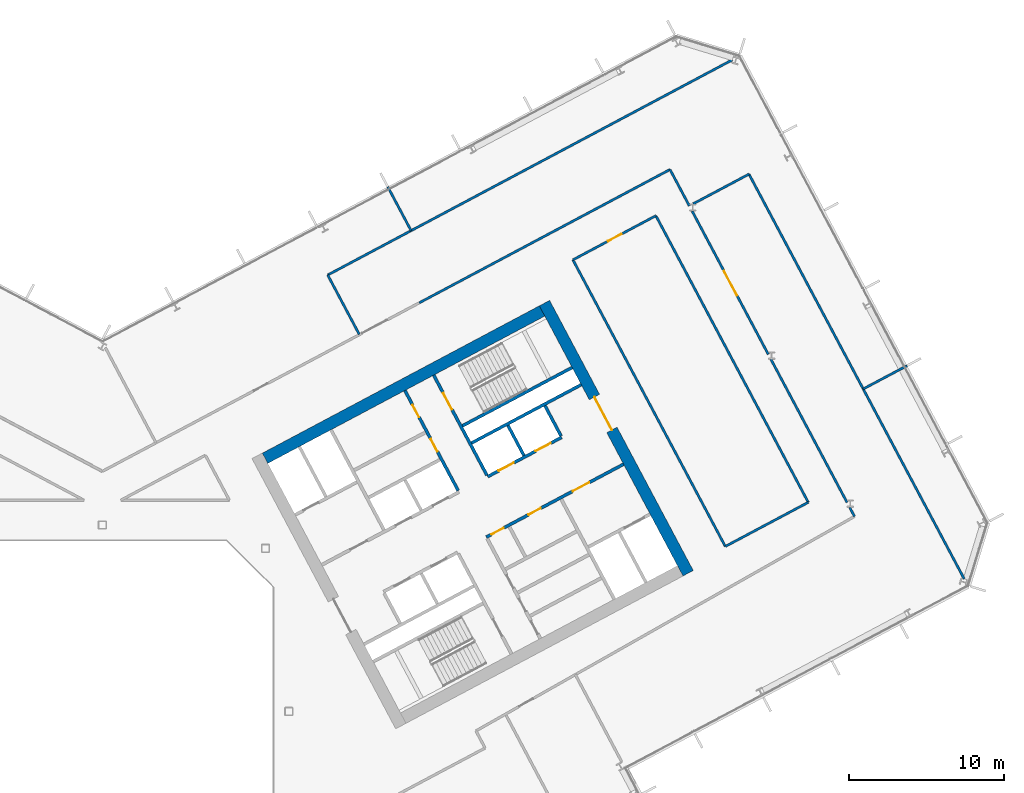
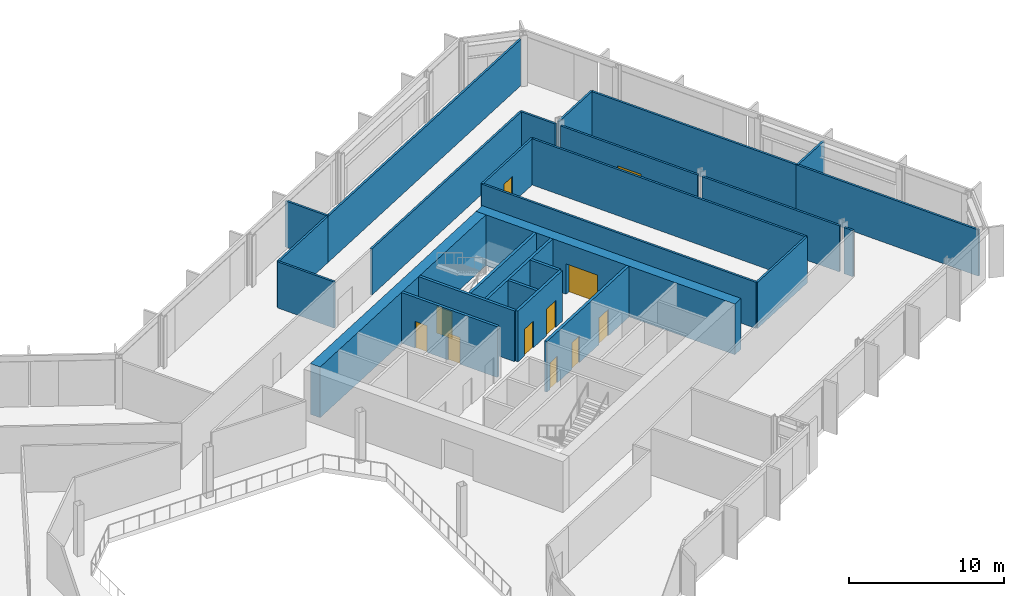
# One storey, part 17 of 28: 27 walls, 11 doors, 11 openings.
"""IFC4 building model written with IfcOpenShell, lengths in metres."""

import ifcopenshell
import ifcopenshell.guid

model = None  # the IFC model being written
_history = None  # IfcOwnerHistory: only IFC2X3 demands one
_inside = {}  # id of a spatial element -> (the spatial element, [elements in it])
_under = {}  # id of a project, library or spatial element -> (it, [spatial elements below it])
_declared = {}  # id of a project -> (the project, [libraries it declares])
_typed = {}  # id of a type object -> (the type object, [elements of that type])
_made_of = {}  # id of a material, layer set ... -> (it, [elements and type objects made of it])


def new_model(schema):
    """Start an empty IFC model of exactly this schema.

    Asked for "IFC4X3", IfcOpenShell would pick the latest addendum, in which some entities
    have other attributes; the version numbers below select the first issue.
    IFC2X3 requires an IfcOwnerHistory on every rooted entity: one is made here for all.
    """
    global model, _history
    if schema == "IFC4X3":
        model = ifcopenshell.file(schema_version=(4, 3, 0, 0))
    else:
        model = ifcopenshell.file(schema=schema)
    _inside.clear()
    _under.clear()
    _declared.clear()
    _typed.clear()
    _made_of.clear()
    _history = None
    if model.schema == "IFC2X3":
        org = make("IfcOrganization", Name="unknown")
        user = make(
            "IfcPersonAndOrganization",
            ThePerson=make("IfcPerson", FamilyName="unknown"),
            TheOrganization=org,
        )
        app = make(
            "IfcApplication",
            ApplicationDeveloper=org,
            Version="unknown",
            ApplicationFullName="unknown",
            ApplicationIdentifier="unknown",
        )
        _history = make(
            "IfcOwnerHistory",
            OwningUser=user,
            OwningApplication=app,
            ChangeAction="ADDED",
            CreationDate=0,
        )
    return model


def make(cls, **values):
    """One entity of the class cls with the attributes given. An attribute that is None is left unset."""
    return model.create_entity(
        cls, **{name: value for name, value in values.items() if value is not None}
    )


def rooted(cls, **values):
    """An entity with a GlobalId (a new one), such as an element, a storey or a relation."""
    return make(cls, GlobalId=ifcopenshell.guid.new(), OwnerHistory=_history, **values)


def si_unit(unit_type, name, prefix=None):
    """IfcSIUnit, for example si_unit("LENGTHUNIT", "METRE", prefix="MILLI")."""
    return make("IfcSIUnit", UnitType=unit_type, Prefix=prefix, Name=name)


def assignment(units):
    """IfcUnitAssignment: the units of a project."""
    return None if units is None else make("IfcUnitAssignment", Units=units)


def point(xyz):
    """IfcCartesianPoint."""
    return None if xyz is None else make("IfcCartesianPoint", Coordinates=xyz)


def direction(xyz):
    """IfcDirection."""
    return None if xyz is None else make("IfcDirection", DirectionRatios=xyz)


def frame(location, z_axis=None, x_axis=None):
    """IfcAxis2Placement3D, a coordinate frame: its origin and axes. An axis left out is left unset."""
    return make(
        "IfcAxis2Placement3D",
        Location=point(location),
        Axis=direction(z_axis),
        RefDirection=direction(x_axis),
    )


def frame_2d(location, x_axis=None):
    """IfcAxis2Placement2D, a coordinate frame in the plane: its origin and x axis."""
    return make(
        "IfcAxis2Placement2D", Location=point(location), RefDirection=direction(x_axis)
    )


def origin():
    """The frame at (0, 0, 0) with its axes left unset."""
    return frame((0.0, 0.0, 0.0))


def place(relative_to, where):
    """IfcLocalPlacement: puts the frame where relative to a parent placement (None: the world)."""
    return make(
        "IfcLocalPlacement", PlacementRelTo=relative_to, RelativePlacement=where
    )


def context(
    kind, dimensions, precision=None, world=None, true_north=None, identifier=None
):
    """IfcGeometricRepresentationContext, for example the 3D "Model" context."""
    return make(
        "IfcGeometricRepresentationContext",
        ContextIdentifier=identifier,
        ContextType=kind,
        CoordinateSpaceDimension=dimensions,
        Precision=precision,
        WorldCoordinateSystem=world,
        TrueNorth=true_north,
    )


def subcontext(parent, identifier, kind, view, scale=None):
    """IfcGeometricRepresentationSubContext, for example "Body" below "Model"."""
    return make(
        "IfcGeometricRepresentationSubContext",
        ContextIdentifier=identifier,
        ContextType=kind,
        ParentContext=parent,
        TargetScale=scale,
        TargetView=view,
    )


def project(units=None, contexts=None):
    """IfcProject with its units and contexts."""
    return rooted(
        "IfcProject",
        Name="project",
        RepresentationContexts=contexts,
        UnitsInContext=assignment(units),
    )


def spatial(cls, under=None, at=None, **own):
    """A site, building, storey or space (cls), placed at a placement, below another one or the project."""
    s = rooted(cls, ObjectPlacement=at, **own)
    if under is not None:
        _under.setdefault(under.id(), (under, []))[1].append(s)
    return s


def profile(cls, at=None, kind="AREA", **sizes):
    """A parametric profile (cls). Its sizes go by their IFC names, for example OverallWidth=200.0."""
    return make(cls, ProfileType=kind, Position=at, **sizes)


def rectangle(**sizes):
    """IfcRectangleProfileDef."""
    return profile("IfcRectangleProfileDef", **sizes)


def extrude(swept, where, along, depth):
    """IfcExtrudedAreaSolid: the profile swept, set in the frame where, extruded along a direction by depth."""
    return make(
        "IfcExtrudedAreaSolid",
        SweptArea=swept,
        Position=where,
        ExtrudedDirection=direction(along),
        Depth=depth,
    )


def shape(context_of_items, identifier, shape_type, items):
    """IfcShapeRepresentation: the items that make up one representation, for example the "Body"."""
    return make(
        "IfcShapeRepresentation",
        ContextOfItems=context_of_items,
        RepresentationIdentifier=identifier,
        RepresentationType=shape_type,
        Items=items,
    )


def material(Name=None, Category=None):
    """IfcMaterial."""
    return make("IfcMaterial", Name=Name, Category=Category)


def layer(
    of_material, thickness, ventilated=None, Name=None, Category=None, Priority=None
):
    """IfcMaterialLayer: one layer of a wall or slab, of a material (None: an air gap)."""
    return make(
        "IfcMaterialLayer",
        Material=of_material,
        LayerThickness=thickness,
        IsVentilated=ventilated,
        Name=Name,
        Category=Category,
        Priority=Priority,
    )


def layer_set(layers, Name=None):
    """IfcMaterialLayerSet."""
    return make("IfcMaterialLayerSet", MaterialLayers=layers, LayerSetName=Name)


def made_of(thing, what):
    """Note that an element or type object is made of a material, layer set ...; save() writes the relation."""
    if what is not None:
        _made_of.setdefault(what.id(), (what, []))[1].append(thing)
    return thing


def type_object(cls, material=None, **own):
    """A type object (cls), such as IfcWallType, which elements share."""
    return made_of(rooted(cls, **own), material)


def element(
    cls,
    number,
    at=None,
    inside=None,
    cuts=None,
    type_object=None,
    material=None,
    context=None,
    identifier="Body",
    shape_type=None,
    held_by="IfcProductDefinitionShape",
    body=None,
    shapes=None,
    **own,
):
    """One element of the class cls, such as IfcWall. Its Tag is "e" and its number.

    at: its placement. inside: the storey or other place that contains it. cuts: it is an
    opening in that element (IfcRelVoidsElement). A single representation is given by context,
    identifier, shape_type and body (its items); several are given by shapes. held_by: the class
    of the entity that holds the representations. save() writes the other relations.
    """
    e = rooted(cls, Tag="e%d" % number, ObjectPlacement=at, **own)
    if body is not None:
        shapes = [shape(context, identifier, shape_type, body)]
    if shapes is not None:
        e.Representation = make(held_by, Representations=shapes)
    if inside is not None:
        _inside.setdefault(inside.id(), (inside, []))[1].append(e)
    if cuts is not None:
        rooted(
            "IfcRelVoidsElement", RelatingBuildingElement=cuts, RelatedOpeningElement=e
        )
    if type_object is not None:
        _typed.setdefault(type_object.id(), (type_object, []))[1].append(e)
    return made_of(e, material)


def fill(opening, filler):
    """IfcRelFillsElement: the door or window that sits in an opening."""
    return rooted(
        "IfcRelFillsElement",
        RelatingOpeningElement=opening,
        RelatedBuildingElement=filler,
    )


def aggregate(whole, parts):
    """IfcRelAggregates: a whole, such as a stair, and the parts it consists of."""
    return rooted("IfcRelAggregates", RelatingObject=whole, RelatedObjects=parts)


def save(model, path):
    """Write the relations noted so far, then the file.

    IfcRelAggregates (storeys below a building ...), IfcRelContainedInSpatialStructure (elements
    in a storey), IfcRelDefinesByType, IfcRelAssociatesMaterial and IfcRelDeclares: one each for
    every whole, place, type object, material and project.
    """
    for whole, parts in _under.values():
        aggregate(whole, parts)
    for where, things in _inside.values():
        rooted(
            "IfcRelContainedInSpatialStructure",
            RelatedElements=things,
            RelatingStructure=where,
        )
    for kind, things in _typed.values():
        rooted("IfcRelDefinesByType", RelatedObjects=things, RelatingType=kind)
    for what, things in _made_of.values():
        rooted("IfcRelAssociatesMaterial", RelatedObjects=things, RelatingMaterial=what)
    for by, libraries in _declared.values():
        rooted("IfcRelDeclares", RelatingContext=by, RelatedDefinitions=libraries)
    model.write(path)


model = new_model("IFC4")

# Units and contexts
model_context = context("Model", 3, precision=1e-05, world=origin(), true_north=direction((0.0, 1.0)))
body_context = subcontext(model_context, "Body", "Model", "MODEL_VIEW")
ifc_project = project(units=[si_unit("LENGTHUNIT", "METRE"), si_unit("AREAUNIT", "SQUARE_METRE"), si_unit("VOLUMEUNIT", "CUBIC_METRE"), si_unit("PLANEANGLEUNIT", "RADIAN"), si_unit("MASSUNIT", "GRAM", prefix="KILO")], contexts=[model_context])

# Site, building, storey
site_placement = place(None, origin())
site = spatial("IfcSite", under=ifc_project, at=site_placement, CompositionType="ELEMENT")
building_placement = place(site_placement, origin())
building = spatial("IfcBuilding", under=site, at=building_placement, Name="Cormorant Relay Tower", CompositionType="ELEMENT")
storey_placement = place(building_placement, frame((0.0, 0.0, 142.199951171875)))
storey = spatial("IfcBuildingStorey", under=building, at=storey_placement, Name="L29", CompositionType="ELEMENT", Elevation=142.199951171875)

# Wall
ifc_material_1 = material(Name="Concrete 40 MPa", Category="concrete")
ifc_layer_1 = layer(ifc_material_1, 0.199951171875)
ifc_layer_set_1 = layer_set([ifc_layer_1], Name="Core internal wall 200")
wall_type_1 = type_object("IfcWallType", Name="Core internal wall 200", PredefinedType="SOLIDWALL", material=ifc_layer_set_1)
wall_1_placement = place(storey_placement, frame((27.144287109375, 16.471435546875, 0.0), z_axis=(0.0, 0.0, 1.0), x_axis=(-0.469401318492, 0.882984938828, 0.0)))
element("IfcWall", 1, at=wall_1_placement, inside=storey, type_object=wall_type_1, Name="L29 core B shaft and room wall", PredefinedType="SOLIDWALL", context=body_context, shape_type="SweptSolid", body=[
    extrude(rectangle(XDim=2.199951171875, YDim=0.199951171875, at=frame_2d((1.10009765625, 0.0))), origin(), (0.0, 0.0, 1.0), 4.0),
])

# Wall, openings, doors
ifc_material_2 = material(Name="Concrete 50 MPa", Category="concrete")
ifc_layer_2 = layer(ifc_material_2, 0.199951171875)
ifc_layer_set_2 = layer_set([ifc_layer_2], Name="Core shaft wall 200")
wall_type_2 = type_object("IfcWallType", Name="Core shaft wall 200", PredefinedType="SHEAR", material=ifc_layer_set_2)
wall_2_placement = place(storey_placement, frame((22.90625, 14.218017578125, 0.0), z_axis=(0.0, 0.0, 1.0), x_axis=(-0.469480409012, 0.88294288918, 0.0)))
wall_2 = element("IfcWall", 2, at=wall_2_placement, inside=storey, type_object=wall_type_2, Name="L29 core B shaft wall", PredefinedType="SHEAR", context=body_context, shape_type="SweptSolid", body=[
    extrude(rectangle(XDim=7.300048828125, YDim=0.199951171875, at=frame_2d((3.64990234375, 0.0))), origin(), (0.0, 0.0, 1.0), 4.0),
])
opening_1_placement = place(wall_2_placement, frame((2.85009765625, 0.0, 0.0)))
opening_1 = element("IfcOpeningElement", 3, at=opening_1_placement, cuts=wall_2, Name="Opening CDD-201", PredefinedType="OPENING", context=body_context, shape_type="SweptSolid", body=[
    extrude(rectangle(XDim=0.89990234375, YDim=2.10009765625, at=frame_2d((0.449951171875, 1.050048828125))), frame((0.0, 0.10986328125, 0.0), z_axis=(0.0, -1.0, 0.0), x_axis=(1.0, 0.0, 0.0)), (0.0, 0.0, 1.0), 0.219970703125),
])
opening_2_placement = place(wall_2_placement, frame((5.35009765625, 0.0, 0.0)))
opening_2 = element("IfcOpeningElement", 4, at=opening_2_placement, cuts=wall_2, Name="Opening CDD-202", PredefinedType="OPENING", context=body_context, shape_type="SweptSolid", body=[
    extrude(rectangle(XDim=0.89990234375, YDim=2.10009765625, at=frame_2d((0.449951171875, 1.050048828125))), frame((0.0, 0.10986328125, 0.0), z_axis=(0.0, -1.0, 0.0), x_axis=(1.0, 0.0, 0.0)), (0.0, 0.0, 1.0), 0.219970703125),
])
ifc_material_3 = material(Name="Steel fire door", Category="steel")
door_type_1 = type_object("IfcDoorType", Name="Core room door 900x2100", OperationType="SINGLE_SWING_LEFT", PredefinedType="DOOR", material=ifc_material_3)
door_1_placement = place(opening_1_placement, origin())
door_1 = element("IfcDoor", 5, at=door_1_placement, inside=storey, type_object=door_type_1, Name="Core room door 900x2100", OperationType="SINGLE_SWING_RIGHT", OverallHeight=2.10009765625, OverallWidth=0.89990234375, PredefinedType="DOOR", context=body_context, shape_type="SweptSolid", body=[
    extrude(rectangle(XDim=0.89990234375, YDim=2.10009765625, at=frame_2d((0.449951171875, 1.050048828125))), frame((0.0, 0.02490234375, 0.0), z_axis=(0.0, -1.0, 0.0), x_axis=(1.0, 0.0, 0.0)), (0.0, 0.0, 1.0), 0.050048828125),
])
fill(opening_1, door_1)
door_2_placement = place(opening_2_placement, origin())
door_2 = element("IfcDoor", 6, at=door_2_placement, inside=storey, type_object=door_type_1, Name="Core room door 900x2100", OperationType="SINGLE_SWING_LEFT", OverallHeight=2.10009765625, OverallWidth=0.89990234375, PredefinedType="DOOR", context=body_context, shape_type="SweptSolid", body=[
    extrude(rectangle(XDim=0.89990234375, YDim=2.10009765625, at=frame_2d((0.449951171875, 1.050048828125))), frame((0.0, 0.02490234375, 0.0), z_axis=(0.0, -1.0, 0.0), x_axis=(1.0, 0.0, 0.0)), (0.0, 0.0, 1.0), 0.050048828125),
])
fill(opening_2, door_2)

# Wall, opening, door
wall_3_placement = place(storey_placement, frame((24.760498046875, 15.2041015625, 0.0), z_axis=(0.0, 0.0, 1.0), x_axis=(-0.469494272526, 0.882935517501, 0.0)))
wall_3 = element("IfcWall", 7, at=wall_3_placement, inside=storey, type_object=wall_type_2, Name="L29 core B shaft wall", PredefinedType="SHEAR", context=body_context, shape_type="SweptSolid", body=[
    extrude(rectangle(XDim=7.2998046875, YDim=0.199951171875, at=frame_2d((3.64990234375, 0.0))), origin(), (0.0, 0.0, 1.0), 4.0),
])
opening_3_placement = place(wall_3_placement, frame((4.800048828125, 0.0, 0.0)))
opening_3 = element("IfcOpeningElement", 8, at=opening_3_placement, cuts=wall_3, Name="Opening CDB-037", PredefinedType="OPENING", context=body_context, shape_type="SweptSolid", body=[
    extrude(rectangle(XDim=1.199951171875, YDim=2.10009765625, at=frame_2d((0.60009765625, 1.050048828125))), frame((0.0, 0.10986328125, 0.0), z_axis=(0.0, -1.0, 0.0), x_axis=(1.0, 0.0, 0.0)), (0.0, 0.0, 1.0), 0.219970703125),
])
ifc_material_4 = material(Name="Steel fire door", Category="steel")
door_type_2 = type_object("IfcDoorType", Name="Core stair door 1200x2100", OperationType="SINGLE_SWING_LEFT", PredefinedType="DOOR", material=ifc_material_4)
door_3_placement = place(opening_3_placement, frame((1.199951171875, 0.0, 0.0), z_axis=(0.0, 0.0, 1.0), x_axis=(-1.0, 0.0, 0.0)))
door_3 = element("IfcDoor", 9, at=door_3_placement, inside=storey, type_object=door_type_2, Name="Core stair door 1200x2100", OperationType="SINGLE_SWING_RIGHT", OverallHeight=2.10009765625, OverallWidth=1.199951171875, PredefinedType="DOOR", context=body_context, shape_type="SweptSolid", body=[
    extrude(rectangle(XDim=1.199951171875, YDim=2.10009765625, at=frame_2d((0.60009765625, 1.050048828125))), frame((0.0, 0.02490234375, 0.0), z_axis=(0.0, -1.0, 0.0), x_axis=(1.0, 0.0, 0.0)), (0.0, 0.0, 1.0), 0.050048828125),
])
fill(opening_3, door_3)

# Wall
wall_4_placement = place(storey_placement, frame((29.5283203125, 17.739013671875, 0.0), z_axis=(0.0, 0.0, 1.0), x_axis=(-0.469401318492, 0.882984938828, 0.0)))
element("IfcWall", 10, at=wall_4_placement, inside=storey, type_object=wall_type_2, Name="L29 core B shaft wall", PredefinedType="SHEAR", context=body_context, shape_type="SweptSolid", body=[
    extrude(rectangle(XDim=2.199951171875, YDim=0.199951171875, at=frame_2d((1.10009765625, 0.0))), origin(), (0.0, 0.0, 1.0), 4.0),
])

# Wall, openings, doors
wall_5_placement = place(storey_placement, frame((24.72607421875, 11.2216796875, 0.0), z_axis=(0.0, 0.0, 1.0), x_axis=(0.882940221191, 0.469485426614, 0.0)))
wall_5 = element("IfcWall", 11, at=wall_5_placement, inside=storey, type_object=wall_type_2, Name="L29 core B shaft wall", PredefinedType="SHEAR", context=body_context, shape_type="SweptSolid", body=[
    extrude(rectangle(XDim=10.0, YDim=0.199951171875, at=frame_2d((5.0, 0.0))), origin(), (0.0, 0.0, 1.0), 4.0),
])
opening_4_placement = place(wall_5_placement, frame((6.300048828125, 0.0, 0.0)))
opening_4 = element("IfcOpeningElement", 12, at=opening_4_placement, cuts=wall_5, Name="Opening CDC-028", PredefinedType="OPENING", context=body_context, shape_type="SweptSolid", body=[
    extrude(rectangle(XDim=1.199951171875, YDim=2.10009765625, at=frame_2d((0.60009765625, 1.050048828125))), frame((0.0, 0.10986328125, 0.0), z_axis=(0.0, -1.0, 0.0), x_axis=(1.0, 0.0, 0.0)), (0.0, 0.0, 1.0), 0.219970703125),
])
opening_5_placement = place(wall_5_placement, frame((0.360107421875, 0.0, 0.0)))
opening_5 = element("IfcOpeningElement", 13, at=opening_5_placement, cuts=wall_5, Name="Opening CDD-177", PredefinedType="OPENING", context=body_context, shape_type="SweptSolid", body=[
    extrude(rectangle(XDim=0.89990234375, YDim=2.10009765625, at=frame_2d((0.449951171875, 1.050048828125))), frame((0.0, 0.10986328125, 0.0), z_axis=(0.0, -1.0, 0.0), x_axis=(1.0, 0.0, 0.0)), (0.0, 0.0, 1.0), 0.219970703125),
])
opening_6_placement = place(wall_5_placement, frame((3.06005859375, 0.0, 0.0)))
opening_6 = element("IfcOpeningElement", 14, at=opening_6_placement, cuts=wall_5, Name="Opening CDD-178", PredefinedType="OPENING", context=body_context, shape_type="SweptSolid", body=[
    extrude(rectangle(XDim=0.89990234375, YDim=2.10009765625, at=frame_2d((0.449951171875, 1.050048828125))), frame((0.0, 0.10986328125, 0.0), z_axis=(0.0, -1.0, 0.0), x_axis=(1.0, 0.0, 0.0)), (0.0, 0.0, 1.0), 0.219970703125),
])
ifc_material_5 = material(Name="Steel fire door", Category="steel")
door_type_3 = type_object("IfcDoorType", Name="Core lobby door 1200x2100", OperationType="SINGLE_SWING_LEFT", PredefinedType="DOOR", material=ifc_material_5)
door_4_placement = place(opening_4_placement, frame((1.199951171875, 0.0, 0.0), z_axis=(0.0, 0.0, 1.0), x_axis=(-1.0, 0.0, 0.0)))
door_4 = element("IfcDoor", 15, at=door_4_placement, inside=storey, type_object=door_type_3, Name="Core lobby door 1200x2100", OperationType="SINGLE_SWING_RIGHT", OverallHeight=2.10009765625, OverallWidth=1.199951171875, PredefinedType="DOOR", context=body_context, shape_type="SweptSolid", body=[
    extrude(rectangle(XDim=1.199951171875, YDim=2.10009765625, at=frame_2d((0.60009765625, 1.050048828125))), frame((0.0, 0.02490234375, 0.0), z_axis=(0.0, -1.0, 0.0), x_axis=(1.0, 0.0, 0.0)), (0.0, 0.0, 1.0), 0.050048828125),
])
fill(opening_4, door_4)
door_5_placement = place(opening_5_placement, frame((0.89990234375, 0.0, 0.0), z_axis=(0.0, 0.0, 1.0), x_axis=(-1.0, 0.0, 0.0)))
door_5 = element("IfcDoor", 16, at=door_5_placement, inside=storey, type_object=door_type_1, Name="Core room door 900x2100", OperationType="SINGLE_SWING_RIGHT", OverallHeight=2.10009765625, OverallWidth=0.89990234375, PredefinedType="DOOR", context=body_context, shape_type="SweptSolid", body=[
    extrude(rectangle(XDim=0.89990234375, YDim=2.10009765625, at=frame_2d((0.449951171875, 1.050048828125))), frame((0.0, 0.02490234375, 0.0), z_axis=(0.0, -1.0, 0.0), x_axis=(1.0, 0.0, 0.0)), (0.0, 0.0, 1.0), 0.050048828125),
])
fill(opening_5, door_5)
door_6_placement = place(opening_6_placement, frame((0.89990234375, 0.0, 0.0), z_axis=(0.0, 0.0, 1.0), x_axis=(-1.0, 0.0, 0.0)))
door_6 = element("IfcDoor", 17, at=door_6_placement, inside=storey, type_object=door_type_1, Name="Core room door 900x2100", OperationType="SINGLE_SWING_RIGHT", OverallHeight=2.10009765625, OverallWidth=0.89990234375, PredefinedType="DOOR", context=body_context, shape_type="SweptSolid", body=[
    extrude(rectangle(XDim=0.89990234375, YDim=2.10009765625, at=frame_2d((0.449951171875, 1.050048828125))), frame((0.0, 0.02490234375, 0.0), z_axis=(0.0, -1.0, 0.0), x_axis=(1.0, 0.0, 0.0)), (0.0, 0.0, 1.0), 0.050048828125),
])
fill(opening_6, door_6)

wall_6_placement = place(storey_placement, frame((24.807373046875, 15.11572265625, 0.0), z_axis=(0.0, 0.0, 1.0), x_axis=(0.882942972946, 0.469480251476, 0.0)))
wall_6 = element("IfcWall", 18, at=wall_6_placement, inside=storey, type_object=wall_type_2, Name="L29 core B shaft wall", PredefinedType="SHEAR", context=body_context, shape_type="SweptSolid", body=[
    extrude(rectangle(XDim=5.39990234375, YDim=0.199951171875, at=frame_2d((2.699951171875, 0.0))), origin(), (0.0, 0.0, 1.0), 4.0),
])
opening_7_placement = place(wall_6_placement, frame((0.800048828125, 0.0, 0.0)))
opening_7 = element("IfcOpeningElement", 19, at=opening_7_placement, cuts=wall_6, Name="Opening LD1-046", PredefinedType="OPENING", context=body_context, shape_type="SweptSolid", body=[
    extrude(rectangle(XDim=1.10009765625, YDim=2.10009765625, at=frame_2d((0.550048828125, 1.050048828125))), frame((0.0, 0.10986328125, 0.0), z_axis=(0.0, -1.0, 0.0), x_axis=(1.0, 0.0, 0.0)), (0.0, 0.0, 1.0), 0.219970703125),
])
opening_8_placement = place(wall_6_placement, frame((3.5, 0.0, 0.0)))
opening_8 = element("IfcOpeningElement", 20, at=opening_8_placement, cuts=wall_6, Name="Opening LD1-047", PredefinedType="OPENING", context=body_context, shape_type="SweptSolid", body=[
    extrude(rectangle(XDim=1.10009765625, YDim=2.10009765625, at=frame_2d((0.550048828125, 1.050048828125))), frame((0.0, 0.10986328125, 0.0), z_axis=(0.0, -1.0, 0.0), x_axis=(1.0, 0.0, 0.0)), (0.0, 0.0, 1.0), 0.219970703125),
])
ifc_material_6 = material(Name="Stainless steel 316", Category="steel")
door_type_4 = type_object("IfcDoorType", Name="Lift landing door 1100x2100", OperationType="DOUBLE_DOOR_SLIDING", PredefinedType="DOOR", material=ifc_material_6)
door_7_placement = place(opening_7_placement, origin())
door_7 = element("IfcDoor", 21, at=door_7_placement, inside=storey, type_object=door_type_4, Name="LR3 landing door", OperationType="DOUBLE_DOOR_SLIDING", OverallHeight=2.10009765625, OverallWidth=1.10009765625, PredefinedType="DOOR", context=body_context, shape_type="SweptSolid", body=[
    extrude(rectangle(XDim=1.10009765625, YDim=2.10009765625, at=frame_2d((0.550048828125, 1.050048828125))), frame((0.0, 0.02490234375, 0.0), z_axis=(0.0, -1.0, 0.0), x_axis=(1.0, 0.0, 0.0)), (0.0, 0.0, 1.0), 0.050048828125),
])
fill(opening_7, door_7)
door_8_placement = place(opening_8_placement, origin())
door_8 = element("IfcDoor", 22, at=door_8_placement, inside=storey, type_object=door_type_4, Name="LR4 landing door", OperationType="DOUBLE_DOOR_SLIDING", OverallHeight=2.10009765625, OverallWidth=1.10009765625, PredefinedType="DOOR", context=body_context, shape_type="SweptSolid", body=[
    extrude(rectangle(XDim=1.10009765625, YDim=2.10009765625, at=frame_2d((0.550048828125, 1.050048828125))), frame((0.0, 0.02490234375, 0.0), z_axis=(0.0, -1.0, 0.0), x_axis=(1.0, 0.0, 0.0)), (0.0, 0.0, 1.0), 0.050048828125),
])
fill(opening_8, door_8)

# Walls
wall_7_placement = place(storey_placement, frame((23.76904296875, 17.28173828125, 0.0), z_axis=(0.0, 0.0, 1.0), x_axis=(0.882940221191, 0.469485426614, 0.0)))
element("IfcWall", 23, at=wall_7_placement, inside=storey, type_object=wall_type_2, Name="L29 core B shaft wall", PredefinedType="SHEAR", context=body_context, shape_type="SweptSolid", body=[
    extrude(rectangle(XDim=8.0, YDim=0.199951171875, at=frame_2d((4.0, 0.0))), origin(), (0.0, 0.0, 1.0), 4.0),
])
wall_8_placement = place(storey_placement, frame((23.18212890625, 18.385498046875, 0.0), z_axis=(0.0, 0.0, 1.0), x_axis=(0.88295287151, 0.469461634952, 0.0)))
element("IfcWall", 24, at=wall_8_placement, inside=storey, type_object=wall_type_2, Name="L29 core B shaft wall", PredefinedType="SHEAR", context=body_context, shape_type="SweptSolid", body=[
    extrude(rectangle(XDim=7.999755859375, YDim=0.199951171875, at=frame_2d((4.0, 0.0))), origin(), (0.0, 0.0, 1.0), 4.0),
])

# Wall, opening, door
ifc_material_7 = material(Name="Concrete 60 MPa", Category="concrete")
ifc_layer_3 = layer(ifc_material_7, 0.75)
ifc_layer_set_3 = layer_set([ifc_layer_3], Name="Core wall 750")
wall_type_3 = type_object("IfcWallType", Name="Core wall 750", PredefinedType="SHEAR", material=ifc_layer_set_3)
wall_9_placement = place(storey_placement, frame((37.712646484375, 8.896484375, 0.0), z_axis=(0.0, 0.0, 1.0), x_axis=(-0.469469918705, 0.88294846703, 0.0)))
wall_9 = element("IfcWall", 25, at=wall_9_placement, inside=storey, type_object=wall_type_3, Name="L29 core B wall", PredefinedType="SHEAR", context=body_context, shape_type="SweptSolid", body=[
    extrude(rectangle(XDim=19.699951171875, YDim=0.75, at=frame_2d((9.85009765625, 0.0))), origin(), (0.0, 0.0, 1.0), 4.0),
])
opening_9_placement = place(wall_9_placement, frame((10.449951171875, 0.0, 0.0)))
opening_9 = element("IfcOpeningElement", 26, at=opening_9_placement, cuts=wall_9, Name="Opening CDA-029", PredefinedType="OPENING", context=body_context, shape_type="SweptSolid", body=[
    extrude(rectangle(XDim=2.39990234375, YDim=2.39990234375, at=frame_2d((1.199951171875, 1.199951171875))), frame((0.0, 0.385009765625, 0.0), z_axis=(0.0, -1.0, 0.0), x_axis=(1.0, 0.0, 0.0)), (0.0, 0.0, 1.0), 0.77001953125),
])
ifc_material_8 = material(Name="Steel fire door", Category="steel")
door_type_5 = type_object("IfcDoorType", Name="Core lobby door 2400x2400", OperationType="DOUBLE_DOOR_SINGLE_SWING", PredefinedType="DOOR", material=ifc_material_8)
door_9_placement = place(opening_9_placement, origin())
door_9 = element("IfcDoor", 27, at=door_9_placement, inside=storey, type_object=door_type_5, Name="Core lobby door 2400x2400", OperationType="DOUBLE_DOOR_SINGLE_SWING", OverallHeight=2.39990234375, OverallWidth=2.39990234375, PredefinedType="DOOR", context=body_context, shape_type="SweptSolid", body=[
    extrude(rectangle(XDim=2.39990234375, YDim=2.39990234375, at=frame_2d((1.199951171875, 1.199951171875))), frame((0.0, 0.02490234375, 0.0), z_axis=(0.0, -1.0, 0.0), x_axis=(1.0, 0.0, 0.0)), (0.0, 0.0, 1.0), 0.050048828125),
])
fill(opening_9, door_9)

# Walls
wall_10_placement = place(storey_placement, frame((10.4736328125, 16.300048828125, 0.0), z_axis=(0.0, 0.0, 1.0), x_axis=(0.88295010195, 0.469466843842, 0.0)))
element("IfcWall", 28, at=wall_10_placement, inside=storey, type_object=wall_type_3, Name="L29 core B wall", PredefinedType="SHEAR", context=body_context, shape_type="SweptSolid", body=[
    extrude(rectangle(XDim=20.199951171875, YDim=0.75, at=frame_2d((10.10009765625, 0.0))), origin(), (0.0, 0.0, 1.0), 4.0),
])
ifc_material_9 = material(Name="Gypsum board fire partition")
ifc_layer_4 = layer(ifc_material_9, 0.14990234375)
ifc_layer_set_4 = layer_set([ifc_layer_4], Name="Corridor partition 150 EI 60")
wall_type_4 = type_object("IfcWallType", Name="Corridor partition 150 EI 60", PredefinedType="PARTITIONING", material=ifc_layer_set_4)
wall_11_placement = place(storey_placement, frame((37.7900390625, 32.554931640625, 0.0), z_axis=(0.0, 0.0, 1.0), x_axis=(-0.469898914502, 0.882720233228, 0.0)))
element("IfcWall", 29, at=wall_11_placement, inside=storey, type_object=wall_type_4, Name="wall/L29/part/056", PredefinedType="PARTITIONING", context=body_context, shape_type="SweptSolid", body=[
    extrude(rectangle(XDim=2.647705078125, YDim=0.14990234375, at=frame_2d((1.32373046875, 0.0))), origin(), (0.0, 0.0, 1.0), 3.64013671875),
])
wall_12_placement = place(storey_placement, frame((20.402099609375, 26.30810546875, 0.0), z_axis=(0.0, 0.0, 1.0), x_axis=(0.882958355843, 0.469451319997, 0.0)))
element("IfcWall", 30, at=wall_12_placement, inside=storey, type_object=wall_type_4, Name="wall/L29/part/057", PredefinedType="PARTITIONING", context=body_context, shape_type="SweptSolid", body=[
    extrude(rectangle(XDim=18.28515625, YDim=0.14990234375, at=frame_2d((9.142578125, 0.0))), origin(), (0.0, 0.0, 1.0), 3.64013671875),
])

# Wall, opening, door
wall_13_placement = place(storey_placement, frame((37.97412109375, 32.208984375, 0.0), z_axis=(0.0, 0.0, 1.0), x_axis=(0.469434985691, -0.882967040274, 0.0)))
wall_13 = element("IfcWall", 31, at=wall_13_placement, inside=storey, type_object=wall_type_4, Name="wall/L29/part/061", PredefinedType="PARTITIONING", context=body_context, shape_type="SweptSolid", body=[
    extrude(rectangle(XDim=10.442138671875, YDim=0.14990234375, at=frame_2d((5.22119140625, 0.0))), origin(), (0.0, 0.0, 1.0), 3.64013671875),
])
opening_10_placement = place(wall_13_placement, frame((4.35107421875, 0.0, 0.0)))
opening_10 = element("IfcOpeningElement", 32, at=opening_10_placement, cuts=wall_13, Name="Opening DD-010", PredefinedType="OPENING", context=body_context, shape_type="SweptSolid", body=[
    extrude(rectangle(XDim=1.800048828125, YDim=2.10009765625, at=frame_2d((0.89990234375, 1.050048828125))), frame((0.0, 0.0849609375, 0.0), z_axis=(0.0, -1.0, 0.0), x_axis=(1.0, 0.0, 0.0)), (0.0, 0.0, 1.0), 0.169921875),
])
ifc_material_10 = material(Name="Timber door leaf", Category="wood")
door_type_6 = type_object("IfcDoorType", Name="Suite double door 1800x2100", OperationType="DOUBLE_DOOR_SINGLE_SWING", PredefinedType="DOOR", material=ifc_material_10)
door_10_placement = place(opening_10_placement, frame((1.800048828125, 0.0, 0.0), z_axis=(0.0, 0.0, 1.0), x_axis=(-1.0, 0.0, 0.0)))
door_10 = element("IfcDoor", 33, at=door_10_placement, inside=storey, type_object=door_type_6, Name="door/L29/006", OperationType="DOUBLE_DOOR_SINGLE_SWING", OverallHeight=2.10009765625, OverallWidth=1.800048828125, PredefinedType="DOOR", context=body_context, shape_type="SweptSolid", body=[
    extrude(rectangle(XDim=1.800048828125, YDim=2.10009765625, at=frame_2d((0.89990234375, 1.050048828125))), frame((0.0, 0.02490234375, 0.0), z_axis=(0.0, -1.0, 0.0), x_axis=(1.0, 0.0, 0.0)), (0.0, 0.0, 1.0), 0.050048828125),
])
fill(opening_10, door_10)

# Walls
wall_14_placement = place(storey_placement, frame((43.0439453125, 22.672119140625, 0.0), z_axis=(0.0, 0.0, 1.0), x_axis=(0.469530755038, -0.882916117235, 0.0)))
element("IfcWall", 34, at=wall_14_placement, inside=storey, type_object=wall_type_4, Name="wall/L29/part/062", PredefinedType="PARTITIONING", context=body_context, shape_type="SweptSolid", body=[
    extrude(rectangle(XDim=10.4404296875, YDim=0.14990234375, at=frame_2d((5.22021484375, 0.0))), origin(), (0.0, 0.0, 1.0), 3.64013671875),
])
wall_15_placement = place(storey_placement, frame((48.114990234375, 13.135986328125, 0.0), z_axis=(0.0, 0.0, 1.0), x_axis=(0.469551655302, -0.882905002253, 0.0)))
element("IfcWall", 35, at=wall_15_placement, inside=storey, type_object=wall_type_4, Name="wall/L29/part/063", PredefinedType="PARTITIONING", context=body_context, shape_type="SweptSolid", body=[
    extrude(rectangle(XDim=0.660400390625, YDim=0.14990234375, at=frame_2d((0.330078125, 0.0))), origin(), (0.0, 0.0, 1.0), 3.64013671875),
])

# Wall, opening, door
wall_16_placement = place(storey_placement, frame((30.2958984375, 29.075927734375, 0.0), z_axis=(0.0, 0.0, 1.0), x_axis=(0.882867405174, 0.469622342826, 0.0)))
wall_16 = element("IfcWall", 36, at=wall_16_placement, inside=storey, type_object=wall_type_4, Name="wall/L29/part/078", PredefinedType="PARTITIONING", context=body_context, shape_type="SweptSolid", body=[
    extrude(rectangle(XDim=6.049560546875, YDim=0.14990234375, at=frame_2d((3.02490234375, 0.0))), origin(), (0.0, 0.0, 1.0), 3.64013671875),
])
opening_11_placement = place(wall_16_placement, frame((2.550048828125, 0.0, 0.0)))
opening_11 = element("IfcOpeningElement", 37, at=opening_11_placement, cuts=wall_16, Name="Opening DS-044", PredefinedType="OPENING", context=body_context, shape_type="SweptSolid", body=[
    extrude(rectangle(XDim=1.0, YDim=2.10009765625, at=frame_2d((0.5, 1.050048828125))), frame((0.0, 0.0849609375, 0.0), z_axis=(0.0, -1.0, 0.0), x_axis=(1.0, 0.0, 0.0)), (0.0, 0.0, 1.0), 0.169921875),
])
ifc_material_11 = material(Name="Timber door leaf", Category="wood")
door_type_7 = type_object("IfcDoorType", Name="Suite door 1000x2100", OperationType="SINGLE_SWING_LEFT", PredefinedType="DOOR", material=ifc_material_11)
door_11_placement = place(opening_11_placement, frame((1.0, 0.0, 0.0), z_axis=(0.0, 0.0, 1.0), x_axis=(-1.0, 0.0, 0.0)))
door_11 = element("IfcDoor", 38, at=door_11_placement, inside=storey, type_object=door_type_7, Name="door/L29/020", OperationType="SINGLE_SWING_RIGHT", OverallHeight=2.10009765625, OverallWidth=1.0, PredefinedType="DOOR", context=body_context, shape_type="SweptSolid", body=[
    extrude(rectangle(XDim=1.0, YDim=2.10009765625, at=frame_2d((0.5, 1.050048828125))), frame((0.0, 0.02490234375, 0.0), z_axis=(0.0, -1.0, 0.0), x_axis=(1.0, 0.0, 0.0)), (0.0, 0.0, 1.0), 0.050048828125),
])
fill(opening_11, door_11)

# Walls
wall_17_placement = place(storey_placement, frame((35.636962890625, 31.9169921875, 0.0), z_axis=(0.0, 0.0, 1.0), x_axis=(0.469463799246, -0.882951720762, 0.0)))
element("IfcWall", 39, at=wall_17_placement, inside=storey, type_object=wall_type_4, Name="wall/L29/part/079", PredefinedType="PARTITIONING", context=body_context, shape_type="SweptSolid", body=[
    extrude(rectangle(XDim=20.900390625, YDim=0.14990234375, at=frame_2d((10.4501953125, 0.0))), origin(), (0.0, 0.0, 1.0), 3.64013671875),
])
wall_18_placement = place(storey_placement, frame((45.448974609375, 13.462890625, 0.0), z_axis=(0.0, 0.0, 1.0), x_axis=(-0.882951059878, -0.469465042213, 0.0)))
element("IfcWall", 40, at=wall_18_placement, inside=storey, type_object=wall_type_4, Name="wall/L29/part/080", PredefinedType="PARTITIONING", context=body_context, shape_type="SweptSolid", body=[
    extrude(rectangle(XDim=6.049072265625, YDim=0.14990234375, at=frame_2d((3.0244140625, 0.0))), origin(), (0.0, 0.0, 1.0), 3.64013671875),
])
wall_19_placement = place(storey_placement, frame((40.10791015625, 10.623046875, 0.0), z_axis=(0.0, 0.0, 1.0), x_axis=(-0.469488010228, 0.882938847402, 0.0)))
element("IfcWall", 41, at=wall_19_placement, inside=storey, type_object=wall_type_4, Name="wall/L29/part/081", PredefinedType="PARTITIONING", context=body_context, shape_type="SweptSolid", body=[
    extrude(rectangle(XDim=20.8994140625, YDim=0.14990234375, at=frame_2d((10.44970703125, 0.0))), origin(), (0.0, 0.0, 1.0), 3.64013671875),
])
ifc_material_12 = material(Name="Gypsum board partition")
ifc_layer_5 = layer(ifc_material_12, 0.14990234375)
ifc_layer_set_5 = layer_set([ifc_layer_5], Name="Tenant partition 150")
wall_type_5 = type_object("IfcWallType", Name="Tenant partition 150", PredefinedType="PARTITIONING", material=ifc_layer_set_5)
wall_20_placement = place(storey_placement, frame((14.507080078125, 28.10009765625, 0.0), z_axis=(0.0, 0.0, 1.0), x_axis=(0.469255579647, -0.883062399251, 0.0)))
element("IfcWall", 42, at=wall_20_placement, inside=storey, type_object=wall_type_5, Name="wall/L29/part/052", PredefinedType="PARTITIONING", context=body_context, shape_type="SweptSolid", body=[
    extrude(rectangle(XDim=4.328125, YDim=0.14990234375, at=frame_2d((2.1640625, 0.0))), origin(), (0.0, 0.0, 1.0), 3.64013671875),
])
wall_21_placement = place(storey_placement, frame((14.506103515625, 28.09912109375, 0.0), z_axis=(0.0, 0.0, 1.0), x_axis=(0.882949189538, 0.469468559857, 0.0)))
element("IfcWall", 43, at=wall_21_placement, inside=storey, type_object=wall_type_5, Name="wall/L29/part/053", PredefinedType="PARTITIONING", context=body_context, shape_type="SweptSolid", body=[
    extrude(rectangle(XDim=6.000244140625, YDim=0.14990234375, at=frame_2d((3.0, 0.0))), origin(), (0.0, 0.0, 1.0), 3.64013671875),
])
wall_22_placement = place(storey_placement, frame((18.3740234375, 33.780029296875, 0.0), z_axis=(0.0, 0.0, 1.0), x_axis=(0.469685095616, -0.882834022315, 0.0)))
element("IfcWall", 44, at=wall_22_placement, inside=storey, type_object=wall_type_5, Name="wall/L29/part/054", PredefinedType="PARTITIONING", context=body_context, shape_type="SweptSolid", body=[
    extrude(rectangle(XDim=3.199951171875, YDim=0.14990234375, at=frame_2d((1.60009765625, 0.0))), origin(), (0.0, 0.0, 1.0), 3.64013671875),
])
wall_23_placement = place(storey_placement, frame((19.803955078125, 30.916015625, 0.0), z_axis=(0.0, 0.0, 1.0), x_axis=(0.882942088651, 0.469481914548, 0.0)))
element("IfcWall", 45, at=wall_23_placement, inside=storey, type_object=wall_type_5, Name="wall/L29/part/055", PredefinedType="PARTITIONING", context=body_context, shape_type="SweptSolid", body=[
    extrude(rectangle(XDim=23.51123046875, YDim=0.14990234375, at=frame_2d((11.755615234375, 0.0))), origin(), (0.0, 0.0, 1.0), 3.64013671875),
])
wall_24_placement = place(storey_placement, frame((48.952880859375, 20.825927734375, 0.0), z_axis=(0.0, 0.0, 1.0), x_axis=(-0.469481062735, 0.882942541581, 0.0)))
element("IfcWall", 46, at=wall_24_placement, inside=storey, type_object=wall_type_5, Name="wall/L29/part/065", PredefinedType="PARTITIONING", context=body_context, shape_type="SweptSolid", body=[
    extrude(rectangle(XDim=15.593505859375, YDim=0.14990234375, at=frame_2d((7.796875, 0.0))), origin(), (0.0, 0.0, 1.0), 3.64013671875),
])
wall_25_placement = place(storey_placement, frame((41.632080078125, 34.593994140625, 0.0), z_axis=(0.0, 0.0, 1.0), x_axis=(-0.88295491585, -0.469457789984, 0.0)))
element("IfcWall", 47, at=wall_25_placement, inside=storey, type_object=wall_type_5, Name="wall/L29/part/066", PredefinedType="PARTITIONING", context=body_context, shape_type="SweptSolid", body=[
    extrude(rectangle(XDim=4.0703125, YDim=0.14990234375, at=frame_2d((2.03515625, 0.0))), origin(), (0.0, 0.0, 1.0), 3.64013671875),
])
wall_26_placement = place(storey_placement, frame((48.952880859375, 20.825927734375, 0.0), z_axis=(0.0, 0.0, 1.0), x_axis=(0.469480582042, -0.882942797176, 0.0)))
element("IfcWall", 48, at=wall_26_placement, inside=storey, type_object=wall_type_5, Name="wall/L29/part/067", PredefinedType="PARTITIONING", context=body_context, shape_type="SweptSolid", body=[
    extrude(rectangle(XDim=13.915771484375, YDim=0.14990234375, at=frame_2d((6.9580078125, 0.0))), origin(), (0.0, 0.0, 1.0), 3.64013671875),
])
wall_27_placement = place(storey_placement, frame((51.81298828125, 22.262939453125, 0.0), z_axis=(0.0, 0.0, 1.0), x_axis=(-0.883154243406, -0.469082703107, 0.0)))
element("IfcWall", 49, at=wall_27_placement, inside=storey, type_object=wall_type_5, Name="wall/L29/part/068", PredefinedType="PARTITIONING", context=body_context, shape_type="SweptSolid", body=[
    extrude(rectangle(XDim=3.19970703125, YDim=0.14990234375, at=frame_2d((1.599853515625, 0.0))), origin(), (0.0, 0.0, 1.0), 3.64013671875),
])

save(model, "model.ifc")
